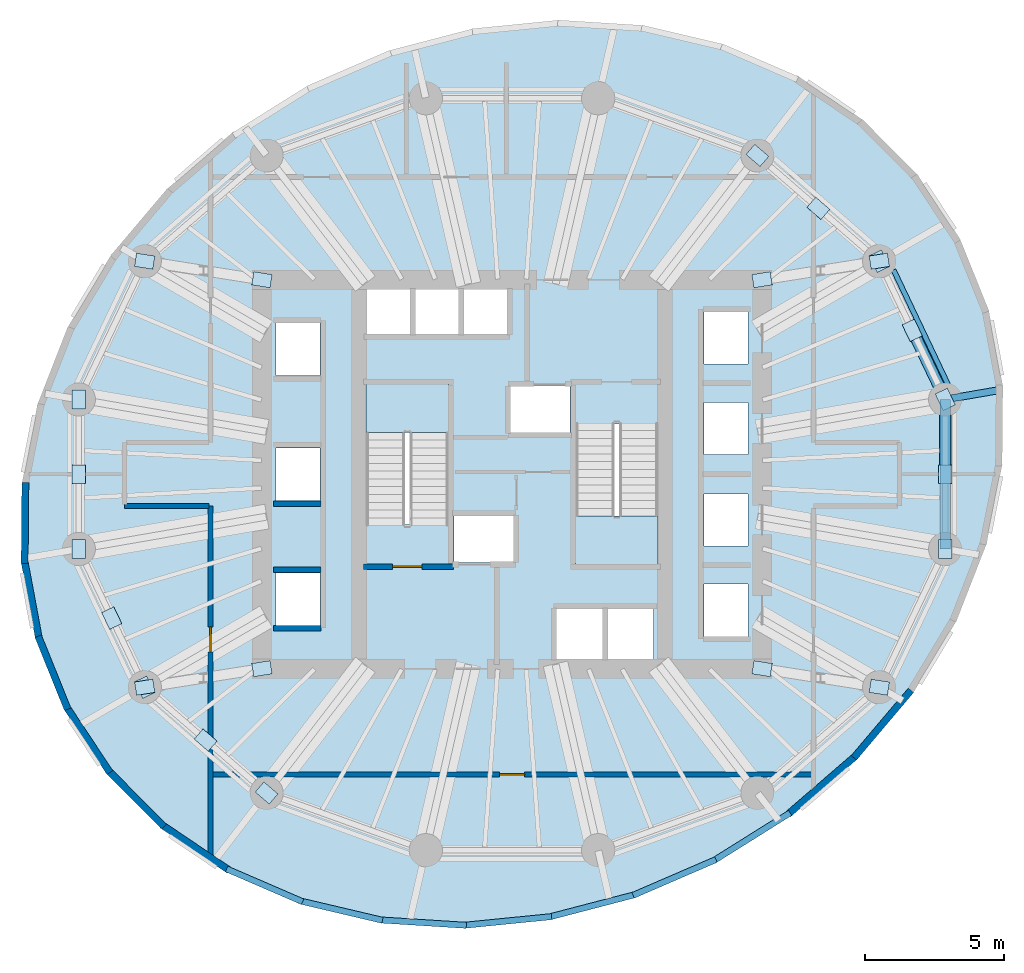
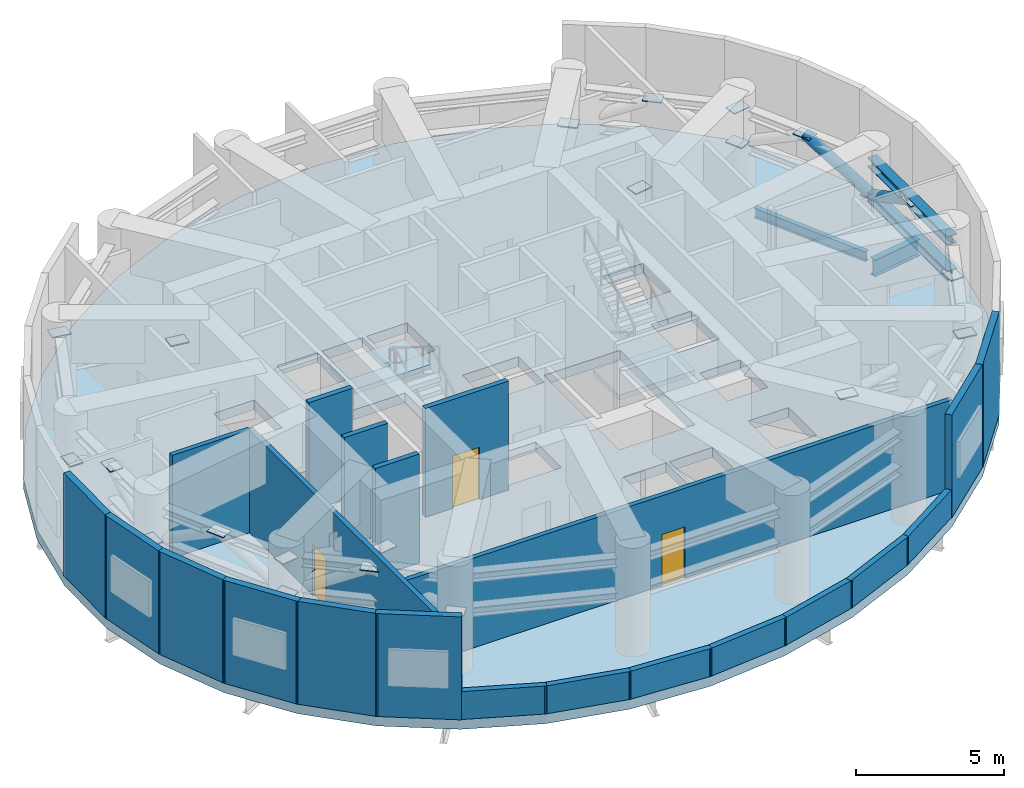
# One storey, part 4 of 9: 22 plates, 22 walls, 4 members, 3 doors, 3 slabs, 2 beams, 3 openings, 2 elements without a shape of their own.
"""IFC4 building model written with IfcOpenShell, lengths in metres."""

from ifc_helpers import new_model, si_unit, direction, frame, frame_2d, origin, origin_2d, place, context, subcontext, project, spatial, polyline, rectangle, hollow_circle, i_section, outline, extrude, material, layer, layer_set, material_profile, profile_set, type_object, element, fill, aggregate, save


model = new_model("IFC4")

# Units and contexts
model_context = context("Model", 3, precision=1e-05, world=origin(), true_north=direction((0.0, 1.0)))
body_context = subcontext(model_context, "Body", "Model", "MODEL_VIEW")
ifc_project = project(units=[si_unit("LENGTHUNIT", "METRE"), si_unit("AREAUNIT", "SQUARE_METRE"), si_unit("VOLUMEUNIT", "CUBIC_METRE"), si_unit("PLANEANGLEUNIT", "RADIAN"), si_unit("MASSUNIT", "GRAM", prefix="KILO")], contexts=[model_context])

# Site, building, storey
site_placement = place(None, origin())
site = spatial("IfcSite", under=ifc_project, at=site_placement, CompositionType="ELEMENT")
building_placement = place(site_placement, origin())
building = spatial("IfcBuilding", under=site, at=building_placement, Name="Veldorim Arch Residences", CompositionType="ELEMENT")
storey_placement = place(building_placement, frame((0.0, 0.0, 112.47998046875)))
storey = spatial("IfcBuildingStorey", under=building, at=storey_placement, Name="L33", CompositionType="ELEMENT", Elevation=112.47998046875)

# Members
ifc_material_1 = material(Name="Steel S460", Category="steel")
ifc_material_profile_1 = material_profile(ifc_material_1, hollow_circle(Radius=0.203125, WallThickness=0.02490234375, at=origin_2d()), Name="CHS406.4x25")
ifc_profile_set_1 = profile_set([ifc_material_profile_1], Name="Steel S460")
member_type_1 = type_object("IfcMemberType", Name="Crown Diagrid CHS406.4x25", PredefinedType="BRACE", material=ifc_profile_set_1)
member_1_placement = place(storey_placement, frame((47.594482421875, 26.692138671875, 2.239990234375), z_axis=(-0.382869964673, 0.80227873305, 0.457995005047), x_axis=(-0.902496689438, -0.430696790739, 0.0)))
element("IfcMember", 1, at=member_1_placement, inside=storey, type_object=member_type_1, Name="L33 belt truss chevron brace 01A", PredefinedType="BRACE", context=body_context, shape_type="SweptSolid", body=[
    extrude(hollow_circle(Radius=0.203125, WallThickness=0.02490234375, at=origin_2d()), origin(), (0.0, 0.0, 1.0), 3.100341796875),
])
member_2_placement = place(storey_placement, frame((47.594482421875, 26.692138671875, 2.239990234375), z_axis=(0.0, -0.884510728409, 0.46651985095), x_axis=(1.0, 0.0, 0.0)))
element("IfcMember", 2, at=member_2_placement, inside=storey, type_object=member_type_1, Name="L33 belt truss chevron brace 16B", PredefinedType="BRACE", context=body_context, shape_type="SweptSolid", body=[
    extrude(hollow_circle(Radius=0.203125, WallThickness=0.02490234375, at=origin_2d()), origin(), (0.0, 0.0, 1.0), 3.043701171875),
])

# Beams
ifc_material_2 = material(Name="Steel S355", Category="steel")
ifc_material_profile_2 = material_profile(ifc_material_2, i_section(OverallWidth=0.25439453125, OverallDepth=0.6875, WebThickness=0.01318359375, FlangeThickness=0.02099609375, at=origin_2d()), Name="UB686x254x152")
ifc_profile_set_2 = profile_set([ifc_material_profile_2], Name="Steel S355")
beam_type_1 = type_object("IfcBeamType", Name="Structural Steel GIRDER UB686x254x152", PredefinedType="USERDEFINED", material=ifc_profile_set_2)
beam_1_placement = place(storey_placement, frame((47.6142578125, 26.695556640625, -0.743896484375), z_axis=(0.985411374096, 0.170189376291, 0.0), x_axis=(-0.170189376291, 0.985411374096, 0.0)))
element("IfcBeam", 3, at=beam_1_placement, inside=storey, type_object=beam_type_1, Name="L33 radial edge cantilever girder 01", ObjectType="GIRDER", PredefinedType="USERDEFINED", context=body_context, shape_type="SweptSolid", body=[
    extrude(i_section(OverallWidth=0.25439453125, OverallDepth=0.6875, WebThickness=0.01318359375, FlangeThickness=0.02099609375, at=origin_2d()), origin(), (0.0, 0.0, 1.0), 1.96826171875),
])
ifc_material_3 = material(Name="Steel S355", Category="steel")
ifc_material_profile_3 = material_profile(ifc_material_3, i_section(OverallWidth=0.1787109375, OverallDepth=0.409423828125, WebThickness=0.0087890625, FlangeThickness=0.014404296875, at=origin_2d()), Name="UB406x178x67")
ifc_profile_set_3 = profile_set([ifc_material_profile_3], Name="Steel S355")
beam_type_2 = type_object("IfcBeamType", Name="Structural Steel Spandrel UB406x178x67", PredefinedType="SPANDREL", material=ifc_profile_set_3)
beam_2_placement = place(storey_placement, frame((47.693115234375, 27.225341796875, -0.624755859375), z_axis=(-0.428857472204, 0.903372165021, 0.0), x_axis=(-0.903372165021, -0.428857472204, 0.0)))
element("IfcBeam", 4, at=beam_2_placement, inside=storey, type_object=beam_type_2, Name="L33 perimeter chord spandrel beam 01", PredefinedType="SPANDREL", context=body_context, shape_type="SweptSolid", body=[
    extrude(i_section(OverallWidth=0.1787109375, OverallDepth=0.409423828125, WebThickness=0.0087890625, FlangeThickness=0.014404296875, at=origin_2d()), origin(), (0.0, 0.0, 1.0), 4.572021484375),
])

# Members
ifc_material_4 = material(Name="Steel S460", Category="steel")
ifc_material_profile_4 = material_profile(ifc_material_4, i_section(OverallWidth=0.374755859375, OverallDepth=0.37451171875, WebThickness=0.0166015625, FlangeThickness=0.027099609375, at=origin_2d()), Name="UC356x368x202")
ifc_profile_set_4 = profile_set([ifc_material_profile_4], Name="Steel S460")
member_type_2 = type_object("IfcMemberType", Name="Truss Chord UC356x368x202", PredefinedType="CHORD", material=ifc_profile_set_4)
for number, where, z_axis, x_axis, name in (
    (5, (47.594482421875, 21.307861328125, 2.239990234375), (0.0, 1.0, 0.0), (-1.0, 0.0, 0.0), "L33 belt truss bottom chord 16"),
    (6, (47.594482421875, 21.307861328125, 3.659912109375), (0.0, 1.0, 0.0), (-1.0, 0.0, 0.0), "L33 belt truss top chord 16"),
):
    element("IfcMember", number, at=place(storey_placement, frame(where, z_axis=z_axis, x_axis=x_axis)), inside=storey, type_object=member_type_2, Name=name, PredefinedType="CHORD", context=body_context, shape_type="SweptSolid", body=[
        extrude(i_section(OverallWidth=0.374755859375, OverallDepth=0.37451171875, WebThickness=0.0166015625, FlangeThickness=0.027099609375, at=origin_2d()), origin(), (0.0, 0.0, 1.0), 5.38427734375),
    ])

# Slab
ifc_material_5 = material(Name="Concrete C50/60", Category="concrete")
ifc_layer_1 = layer(ifc_material_5, 0.39990234375, Name="Refuge & Outrigger Diaphragm Slab 400")
ifc_layer_set_1 = layer_set([ifc_layer_1], Name="Concrete C50/60")
slab_type_1 = type_object("IfcSlabType", Name="Refuge & Outrigger Diaphragm Slab 400", PredefinedType="FLOOR", material=ifc_layer_set_1)
slab_1_placement = place(storey_placement, frame((0.0, 0.0, -0.39990234375)))
element("IfcSlab", 7, at=slab_1_placement, inside=storey, type_object=slab_type_1, Name="L33 tower structural floor slab", PredefinedType="FLOOR", context=body_context, shape_type="SweptSolid", body=[
    extrude(outline(polyline([(48.111083984375, 32.4658203125), (46.590087890625, 34.765869140625), (44.6259765625, 36.739013671875), (42.278076171875, 38.324951171875), (39.617919921875, 39.4755859375), (36.72607421875, 40.156005859375), (33.69091796875, 40.345703125), (30.604248046875, 40.03857421875), (27.559814453125, 39.244140625), (24.650634765625, 37.98681640625), (21.964599609375, 36.30419921875), (19.58349609375, 34.247802734375), (17.57958984375, 31.8798828125), (16.013916015625, 29.272705078125), (14.93408203125, 26.50537109375), (14.37255859375, 23.661865234375), (14.3466796875, 20.82861328125), (14.857421875, 18.091552734375), (15.888916015625, 15.5341796875), (17.409912109375, 13.234130859375), (19.3740234375, 11.260986328125), (21.721923828125, 9.675048828125), (24.382080078125, 8.5244140625), (27.27392578125, 7.843994140625), (30.30908203125, 7.654296875), (33.395751953125, 7.96142578125), (36.440185546875, 8.755859375), (39.349365234375, 10.01318359375), (42.035400390625, 11.69580078125), (44.41650390625, 13.752197265625), (46.42041015625, 16.1201171875), (47.986083984375, 18.727294921875), (49.06591796875, 21.49462890625), (49.62744140625, 24.338134765625), (49.6533203125, 27.17138671875), (49.142578125, 29.908447265625), (48.111083984375, 32.4658203125)]), holes=[polyline([(23.510009765625, 20.43994140625), (25.090087890625, 20.43994140625), (25.090087890625, 18.56005859375), (23.510009765625, 18.56005859375), (23.510009765625, 20.43994140625)]), polyline([(29.909912109375, 22.544921875), (32.090087890625, 22.544921875), (32.090087890625, 20.81494140625), (29.909912109375, 20.81494140625), (29.909912109375, 22.544921875)]), polyline([(23.510009765625, 24.93994140625), (25.090087890625, 24.93994140625), (25.090087890625, 23.06005859375), (23.510009765625, 23.06005859375), (23.510009765625, 24.93994140625)]), polyline([(26.75, 27.25), (29.7099609375, 27.25), (29.7099609375, 22.195068359375), (26.75, 22.195068359375), (26.75, 27.25)]), polyline([(23.510009765625, 29.43994140625), (25.090087890625, 29.43994140625), (25.090087890625, 27.56005859375), (23.510009765625, 27.56005859375), (23.510009765625, 29.43994140625)]), polyline([(26.760009765625, 30.7900390625), (28.340087890625, 30.7900390625), (28.340087890625, 28.909912109375), (26.760009765625, 28.909912109375), (26.760009765625, 30.7900390625)]), polyline([(28.510009765625, 30.7900390625), (30.090087890625, 30.7900390625), (30.090087890625, 28.909912109375), (28.510009765625, 28.909912109375), (28.510009765625, 30.7900390625)]), polyline([(30.260009765625, 30.7900390625), (31.840087890625, 30.7900390625), (31.840087890625, 28.909912109375), (30.260009765625, 28.909912109375), (30.260009765625, 30.7900390625)]), polyline([(33.610107421875, 19.2900390625), (35.2900390625, 19.2900390625), (35.2900390625, 17.2099609375), (33.610107421875, 17.2099609375), (33.610107421875, 19.2900390625)]), polyline([(35.409912109375, 19.2900390625), (37.090087890625, 19.2900390625), (37.090087890625, 17.2099609375), (35.409912109375, 17.2099609375), (35.409912109375, 19.2900390625)]), polyline([(38.909912109375, 20.0400390625), (40.489990234375, 20.0400390625), (40.489990234375, 18.159912109375), (38.909912109375, 18.159912109375), (38.909912109375, 20.0400390625)]), polyline([(38.909912109375, 23.2900390625), (40.489990234375, 23.2900390625), (40.489990234375, 21.409912109375), (38.909912109375, 21.409912109375), (38.909912109375, 23.2900390625)]), polyline([(34.2900390625, 25.804931640625), (37.25, 25.804931640625), (37.25, 20.75), (34.2900390625, 20.75), (34.2900390625, 25.804931640625)]), polyline([(38.909912109375, 26.590087890625), (40.489990234375, 26.590087890625), (40.489990234375, 24.7099609375), (38.909912109375, 24.7099609375), (38.909912109375, 26.590087890625)]), polyline([(31.909912109375, 27.18505859375), (34.090087890625, 27.18505859375), (34.090087890625, 25.455078125), (31.909912109375, 25.455078125), (31.909912109375, 27.18505859375)]), polyline([(38.909912109375, 29.840087890625), (40.489990234375, 29.840087890625), (40.489990234375, 27.9599609375), (38.909912109375, 27.9599609375), (38.909912109375, 29.840087890625)])]), origin(), (0.0, 0.0, 1.0), 0.39990234375),
])

# Stair, slab
ifc_material_6 = material(Name="Concrete C40/50", Category="concrete")
stair_type = type_object("IfcStairType", Name="Reinforced Concrete Dogleg Exit Staircase", PredefinedType="HALF_TURN_STAIR", material=ifc_material_6)
stair_1_placement = place(storey_placement, origin())
stair_1 = element("IfcStair", 8, at=stair_1_placement, inside=storey, type_object=stair_type, Name="L33 Exit Staircase ST-1", PredefinedType="HALF_TURN_STAIR")
ifc_material_7 = material(Name="Concrete C40/50", Category="concrete")
ifc_layer_2 = layer(ifc_material_7, 0.199951171875, Name="Reinforced Concrete Stair Landing 200")
ifc_layer_set_2 = layer_set([ifc_layer_2], Name="Concrete C40/50")
slab_type_2 = type_object("IfcSlabType", Name="Reinforced Concrete Stair Landing 200", PredefinedType="LANDING", material=ifc_layer_set_2)
slab_2_placement = place(storey_placement, frame((0.0, 0.0, 2.0400390625)))
slab_2 = element("IfcSlab", 9, at=slab_2_placement, type_object=slab_type_2, Name="ST-1 landing 1", PredefinedType="LANDING", context=body_context, shape_type="SweptSolid", body=[
    extrude(outline(polyline([(29.7099609375, 25.510009765625), (29.7099609375, 27.25), (26.75, 27.25), (26.75, 25.510009765625), (29.7099609375, 25.510009765625)])), origin(), (0.0, 0.0, 1.0), 0.199951171875),
])
aggregate(stair_1, [slab_2])

stair_2_placement = place(storey_placement, origin())
stair_2 = element("IfcStair", 10, at=stair_2_placement, inside=storey, type_object=stair_type, Name="L33 Exit Staircase ST-2", PredefinedType="HALF_TURN_STAIR")
slab_3_placement = place(storey_placement, frame((0.0, 0.0, 2.0400390625)))
slab_3 = element("IfcSlab", 11, at=slab_3_placement, type_object=slab_type_2, Name="ST-2 landing 1", PredefinedType="LANDING", context=body_context, shape_type="SweptSolid", body=[
    extrude(outline(polyline([(34.2900390625, 22.489990234375), (34.2900390625, 20.75), (37.25, 20.75), (37.25, 22.489990234375), (34.2900390625, 22.489990234375)])), origin(), (0.0, 0.0, 1.0), 0.199951171875),
])
aggregate(stair_2, [slab_3])

# Plates
ifc_material_8 = material(Name="Steel S355", Category="steel")
ifc_layer_3 = layer(ifc_material_8, 0.035888671875, Name="Welded Hollow-Section End-Cap & Gusset Plate 36")
ifc_layer_set_3 = layer_set([ifc_layer_3], Name="Steel S355")
plate_type = type_object("IfcPlateType", Name="Welded Hollow-Section End-Cap & Gusset Plate 36", PredefinedType="USERDEFINED", material=ifc_layer_set_3)
for number, where, z_axis, x_axis, name in (
    (12, (47.594482421875, 26.692138671875, 2.22216796875), (0.0, 0.0, 1.0), (-0.43071587583, 0.902487581249, 0.0), "L33 belt truss chevron brace 01A welded joint gusset plate 1"),
    (13, (46.407470703125, 29.179443359375, 3.64208984375), (0.0, 0.0, 1.0), (-0.43071587583, 0.902487581249, 0.0), "L33 belt truss chevron brace 01A welded joint gusset plate 2"),
    (14, (45.220458984375, 31.6669921875, 2.22216796875), (0.0, 0.0, 1.0), (0.430684372808, -0.902502615519, 0.0), "L33 belt truss chevron brace 01B welded joint gusset plate 1"),
    (15, (43.027099609375, 33.570556640625, 3.64208984375), (0.0, 0.0, 1.0), (-0.755224614955, 0.655466079188, 0.0), "L33 belt truss chevron brace 02A welded joint gusset plate 2"),
    (16, (40.83349609375, 35.474365234375, 2.22216796875), (0.0, 0.0, 1.0), (0.755224614955, -0.655466079188, 0.0), "L33 belt truss chevron brace 02B welded joint gusset plate 1"),
    (17, (16.405517578125, 26.692138671875, 2.22216796875), (0.0, 0.0, 1.0), (0.0, -1.0, 0.0), "L33 belt truss chevron brace 08A welded joint gusset plate 1"),
    (18, (16.405517578125, 24.0, 3.64208984375), (0.0, 0.0, 1.0), (0.0, -1.0, 0.0), "L33 belt truss chevron brace 08A welded joint gusset plate 2"),
    (19, (16.405517578125, 21.307861328125, 2.22216796875), (0.0, 0.0, 1.0), (0.0, 1.0, 0.0), "L33 belt truss chevron brace 08B welded joint gusset plate 1"),
    (20, (17.592529296875, 18.820556640625, 3.64208984375), (0.0, 0.0, 1.0), (0.430700124385, -0.902495098521, 0.0), "L33 belt truss chevron brace 09A welded joint gusset plate 2"),
    (21, (18.779541015625, 16.3330078125, 2.22216796875), (0.0, 0.0, 1.0), (-0.43071587583, 0.902487581249, 0.0), "L33 belt truss chevron brace 09B welded joint gusset plate 1"),
    (22, (20.972900390625, 14.429443359375, 3.64208984375), (0.0, 0.0, 1.0), (0.755224614955, -0.655466079188, 0.0), "L33 belt truss chevron brace 10A welded joint gusset plate 2"),
    (23, (23.16650390625, 12.525634765625, 2.22216796875), (0.0, 0.0, 1.0), (-0.755224614955, 0.655466079188, 0.0), "L33 belt truss chevron brace 10B welded joint gusset plate 1"),
    (24, (47.594482421875, 21.307861328125, 2.22216796875), (0.0, 0.0, 1.0), (0.0, 1.0, 0.0), "L33 belt truss chevron brace 16A welded joint gusset plate 1"),
    (25, (47.594482421875, 24.0, 3.64208984375), (0.0, 0.0, 1.0), (0.0, 1.0, 0.0), "L33 belt truss chevron brace 16A welded joint gusset plate 2"),
    (26, (41.0, 17.0, 2.22216796875), (0.0, 0.0, 1.0), (0.98774288635, -0.156089687246, 0.0), "L33 outrigger truss diagonal 01 welded joint gusset plate 1"),
    (27, (45.220458984375, 16.3330078125, 3.64208984375), (0.0, 0.0, 1.0), (0.98774288635, -0.156089687246, 0.0), "L33 outrigger truss diagonal 01 welded joint gusset plate 2"),
    (28, (41.0, 31.0, 2.22216796875), (0.0, 0.0, 1.0), (0.98774288635, 0.156089687246, 0.0), "L33 outrigger truss diagonal 02 welded joint gusset plate 1"),
    (29, (45.220458984375, 31.6669921875, 3.64208984375), (0.0, 0.0, 1.0), (0.98774288635, 0.156089687246, 0.0), "L33 outrigger truss diagonal 02 welded joint gusset plate 2"),
    (30, (23.0, 31.0, 2.22216796875), (0.0, 0.0, 1.0), (-0.98774288635, 0.156089687246, 0.0), "L33 outrigger truss diagonal 03 welded joint gusset plate 1"),
    (31, (18.779541015625, 31.6669921875, 3.64208984375), (0.0, 0.0, 1.0), (-0.98774288635, 0.156089687246, 0.0), "L33 outrigger truss diagonal 03 welded joint gusset plate 2"),
    (32, (23.0, 17.0, 2.22216796875), (0.0, 0.0, 1.0), (-0.98774288635, -0.156089687246, 0.0), "L33 outrigger truss diagonal 04 welded joint gusset plate 1"),
    (33, (18.779541015625, 16.3330078125, 3.64208984375), (0.0, 0.0, 1.0), (-0.98774288635, -0.156089687246, 0.0), "L33 outrigger truss diagonal 04 welded joint gusset plate 2"),
):
    element("IfcPlate", number, at=place(storey_placement, frame(where, z_axis=z_axis, x_axis=x_axis)), inside=storey, type_object=plate_type, Name=name, ObjectType="GUSSET PLATE", PredefinedType="USERDEFINED", context=body_context, shape_type="SweptSolid", body=[
        extrude(rectangle(XDim=0.6708984375, YDim=0.486083984375, at=origin_2d()), origin(), (0.0, 0.0, 1.0), 0.035888671875),
    ])

# Wall, opening, door
ifc_material_9 = material(Name="Lightweight Masonry Block & Gypsum", Category="masonry")
ifc_layer_4 = layer(ifc_material_9, 0.179931640625, Name="Compartment & Corridor Fire-Rated Party Wall 180")
ifc_layer_set_4 = layer_set([ifc_layer_4], Name="Lightweight Masonry Block & Gypsum")
wall_type_1 = type_object("IfcWallType", Name="Compartment & Corridor Fire-Rated Party Wall 180", PredefinedType="PARTITIONING", material=ifc_layer_set_4)
wall_1_placement = place(storey_placement, frame((42.85009765625, 13.199951171875, 0.0), z_axis=(0.0, 0.0, 1.0), x_axis=(-1.0, 0.0, 0.0)))
wall_1 = element("IfcWall", 34, at=wall_1_placement, inside=storey, type_object=wall_type_1, Name="L33 interior wall WL-PLT-L33-001", PredefinedType="PARTITIONING", context=body_context, shape_type="SweptSolid", body=[
    extrude(rectangle(XDim=21.7001953125, YDim=0.179931640625, at=frame_2d((10.85009765625, 0.0))), origin(), (0.0, 0.0, 1.0), 3.69140625),
])
opening_1_placement = place(wall_1_placement, frame((10.39990234375, 0.0, 0.0)))
opening_1 = element("IfcOpeningElement", 35, at=opening_1_placement, cuts=wall_1, Name="Opening DR-INT", PredefinedType="OPENING", context=body_context, shape_type="SweptSolid", body=[
    extrude(rectangle(XDim=0.89990234375, YDim=2.10009765625, at=frame_2d((0.449951171875, 1.050048828125))), frame((0.0, 0.099853515625, 0.0), z_axis=(0.0, -1.0, 0.0), x_axis=(1.0, 0.0, 0.0)), (0.0, 0.0, 1.0), 0.199951171875),
])
ifc_material_10 = material(Name="Engineered Timber", Category="wood")
door_type_1 = type_object("IfcDoorType", Name="Apartment Internal Room Timber Door 900x2100", OperationType="SINGLE_SWING_LEFT", PredefinedType="DOOR", material=ifc_material_10)
door_1_placement = place(opening_1_placement, origin())
door_1 = element("IfcDoor", 36, at=door_1_placement, inside=storey, type_object=door_type_1, Name="L33 interior door DR-PLT-L33-001", OperationType="SINGLE_SWING_LEFT", OverallHeight=2.10009765625, OverallWidth=0.89990234375, PredefinedType="DOOR", context=body_context, shape_type="SweptSolid", body=[
    extrude(rectangle(XDim=0.89990234375, YDim=2.10009765625, at=frame_2d((0.449951171875, 1.050048828125))), frame((0.0, 0.02490234375, 0.0), z_axis=(0.0, -1.0, 0.0), x_axis=(1.0, 0.0, 0.0)), (0.0, 0.0, 1.0), 0.050048828125),
])
fill(opening_1, door_1)

wall_2_placement = place(storey_placement, frame((21.14990234375, 10.27880859375, 0.0), z_axis=(0.0, 0.0, 1.0), x_axis=(0.0, 1.0, 0.0)))
wall_2 = element("IfcWall", 37, at=wall_2_placement, inside=storey, type_object=wall_type_1, Name="L33 interior wall WL-PLT-L33-003", PredefinedType="PARTITIONING", context=body_context, shape_type="SweptSolid", body=[
    extrude(rectangle(XDim=12.5712890625, YDim=0.179931640625, at=frame_2d((6.28564453125, 0.0))), origin(), (0.0, 0.0, 1.0), 4.235107421875),
])
opening_2_placement = place(wall_2_placement, frame((7.326416015625, 0.0, 0.0)))
opening_2 = element("IfcOpeningElement", 38, at=opening_2_placement, cuts=wall_2, Name="Opening DR-SVC", PredefinedType="OPENING", context=body_context, shape_type="SweptSolid", body=[
    extrude(rectangle(XDim=0.89990234375, YDim=2.10009765625, at=frame_2d((0.449951171875, 1.050048828125))), frame((0.0, 0.099853515625, 0.0), z_axis=(0.0, -1.0, 0.0), x_axis=(1.0, 0.0, 0.0)), (0.0, 0.0, 1.0), 0.199951171875),
])
ifc_material_11 = material(Name="Fire-Rated Steel", Category="steel")
door_type_2 = type_object("IfcDoorType", Name="Riser, Shelter & Plant Room Rated Steel Door 900x2100", OperationType="SINGLE_SWING_LEFT", PredefinedType="DOOR", material=ifc_material_11)
door_2_placement = place(opening_2_placement, origin())
door_2 = element("IfcDoor", 39, at=door_2_placement, inside=storey, type_object=door_type_2, Name="L33 interior door DR-PLT-L33-005", OperationType="SINGLE_SWING_LEFT", OverallHeight=2.10009765625, OverallWidth=0.89990234375, PredefinedType="DOOR", context=body_context, shape_type="SweptSolid", body=[
    extrude(rectangle(XDim=0.89990234375, YDim=2.10009765625, at=frame_2d((0.449951171875, 1.050048828125))), frame((0.0, 0.02490234375, 0.0), z_axis=(0.0, -1.0, 0.0), x_axis=(1.0, 0.0, 0.0)), (0.0, 0.0, 1.0), 0.050048828125),
])
fill(opening_2, door_2)

# Wall
wall_3_placement = place(storey_placement, frame((21.090087890625, 22.85009765625, 0.0), z_axis=(0.0, 0.0, 1.0), x_axis=(-1.0, 0.0, 0.0)))
element("IfcWall", 40, at=wall_3_placement, inside=storey, type_object=wall_type_1, Name="L33 interior wall WL-PLT-L33-004", PredefinedType="PARTITIONING", context=body_context, shape_type="SweptSolid", body=[
    extrude(rectangle(XDim=3.0400390625, YDim=0.179931640625, at=frame_2d((1.52001953125, 0.0))), origin(), (0.0, 0.0, 1.0), 4.235107421875),
])

# Wall, opening, door
ifc_material_12 = material(Name="Concrete C50/60", Category="concrete")
ifc_layer_5 = layer(ifc_material_12, 0.199951171875, Name="Core Stair & Lift Shaft Enclosure Wall 200")
ifc_layer_set_5 = layer_set([ifc_layer_5], Name="Concrete C50/60")
wall_type_2 = type_object("IfcWallType", Name="Core Stair & Lift Shaft Enclosure Wall 200", PredefinedType="SHEAR", material=ifc_layer_set_5)
wall_4_placement = place(storey_placement, frame((26.64990234375, 20.669921875, 0.0), z_axis=(0.0, 0.0, 1.0), x_axis=(1.0, 0.0, 0.0)))
wall_4 = element("IfcWall", 41, at=wall_4_placement, inside=storey, type_object=wall_type_2, Name="L33 shaft wall WL-SHF-L33-ST1-S", PredefinedType="SHEAR", context=body_context, shape_type="SweptSolid", body=[
    extrude(rectangle(XDim=3.239990234375, YDim=0.199951171875, at=frame_2d((1.6201171875, 0.0))), origin(), (0.0, 0.0, 1.0), 4.47998046875),
])
opening_3_placement = place(wall_4_placement, frame((1.054931640625, 0.0, 0.0)))
opening_3 = element("IfcOpeningElement", 42, at=opening_3_placement, cuts=wall_4, Name="Opening DR-ST", PredefinedType="OPENING", context=body_context, shape_type="SweptSolid", body=[
    extrude(rectangle(XDim=1.050048828125, YDim=2.14990234375, at=frame_2d((0.52490234375, 1.074951171875))), frame((0.0, 0.10986328125, 0.0), z_axis=(0.0, -1.0, 0.0), x_axis=(1.0, 0.0, 0.0)), (0.0, 0.0, 1.0), 0.219970703125),
])
ifc_material_13 = material(Name="Fire-Rated Steel", Category="steel")
door_type_3 = type_object("IfcDoorType", Name="Exit Staircase Self-Closing Fire Door 1050x2150", OperationType="SINGLE_SWING_LEFT", PredefinedType="DOOR", material=ifc_material_13)
door_3_placement = place(opening_3_placement, origin())
door_3 = element("IfcDoor", 43, at=door_3_placement, inside=storey, type_object=door_type_3, Name="L33 interior door DR-L33-ST1", OperationType="SINGLE_SWING_LEFT", OverallHeight=2.14990234375, OverallWidth=1.050048828125, PredefinedType="DOOR", context=body_context, shape_type="SweptSolid", body=[
    extrude(rectangle(XDim=1.050048828125, YDim=2.14990234375, at=frame_2d((0.52490234375, 1.074951171875))), frame((0.0, 0.02490234375, 0.0), z_axis=(0.0, -1.0, 0.0), x_axis=(1.0, 0.0, 0.0)), (0.0, 0.0, 1.0), 0.050048828125),
])
fill(opening_3, door_3)

# Walls
for number, where, z_axis, x_axis, name in (
    (44, (23.419921875, 18.4599609375, 0.0), (0.0, 0.0, 1.0), (1.0, 0.0, 0.0), "L33 shaft wall WL-B2-L33-S"),
    (45, (23.419921875, 20.56005859375, 0.0), (0.0, 0.0, 1.0), (1.0, 0.0, 0.0), "L33 shaft wall WL-B2-L33-D1A"),
    (46, (23.419921875, 22.93994140625, 0.0), (0.0, 0.0, 1.0), (1.0, 0.0, 0.0), "L33 shaft wall WL-B2-L33-D1B"),
):
    element("IfcWall", number, at=place(storey_placement, frame(where, z_axis=z_axis, x_axis=x_axis)), inside=storey, type_object=wall_type_2, Name=name, PredefinedType="SHEAR", context=body_context, shape_type="SweptSolid", body=[
        extrude(rectangle(XDim=1.7099609375, YDim=0.199951171875, at=frame_2d((0.85498046875, 0.0))), origin(), (0.0, 0.0, 1.0), 4.47998046875),
    ])
ifc_material_14 = material(Name="Precast concrete C40/50", Category="concrete")
ifc_layer_6 = layer(ifc_material_14, 0.219970703125, Name="Terrace & Refuge Perimeter Parapet Wall 220")
ifc_layer_set_6 = layer_set([ifc_layer_6], Name="Precast concrete C40/50")
wall_type_3 = type_object("IfcWallType", Name="Terrace & Refuge Perimeter Parapet Wall 220", PredefinedType="PARAPET", material=ifc_layer_set_6)
wall_5_placement = place(storey_placement, frame((24.462646484375, 8.609619140625, 0.0), z_axis=(0.0, 0.0, 1.0), x_axis=(-0.917825556338, 0.396983939389, 0.0)))
element("IfcWall", 47, at=wall_5_placement, inside=storey, type_object=wall_type_3, Name="L33 fire refuge safety parapet 21", PredefinedType="PARAPET", context=body_context, shape_type="SweptSolid", body=[
    extrude(rectangle(XDim=2.978271484375, YDim=0.219970703125, at=frame_2d((1.4892578125, 0.0))), origin(), (0.0, 0.0, 1.0), 1.14990234375),
])
wall_6_placement = place(storey_placement, frame((27.337890625, 7.94189453125, 0.0), z_axis=(0.0, 0.0, 1.0), x_axis=(-0.973415069123, 0.229048255186, 0.0)))
element("IfcWall", 48, at=wall_6_placement, inside=storey, type_object=wall_type_3, Name="L33 fire refuge safety parapet 22", PredefinedType="PARAPET", context=body_context, shape_type="SweptSolid", body=[
    extrude(rectangle(XDim=3.050537109375, YDim=0.219970703125, at=frame_2d((1.525390625, 0.0))), origin(), (0.0, 0.0, 1.0), 1.14990234375),
])
wall_7_placement = place(storey_placement, frame((30.35595703125, 7.76171875, 0.0), z_axis=(0.0, 0.0, 1.0), x_axis=(-0.998055012508, 0.062339329543, 0.0)))
element("IfcWall", 49, at=wall_7_placement, inside=storey, type_object=wall_type_3, Name="L33 fire refuge safety parapet 23", PredefinedType="PARAPET", context=body_context, shape_type="SweptSolid", body=[
    extrude(rectangle(XDim=3.121337890625, YDim=0.219970703125, at=frame_2d((1.560546875, 0.0))), origin(), (0.0, 0.0, 1.0), 1.14990234375),
])
wall_8_placement = place(storey_placement, frame((33.4248046875, 8.07470703125, 0.0), z_axis=(0.0, 0.0, 1.0), x_axis=(-0.995089470492, -0.098979521701, 0.0)))
element("IfcWall", 50, at=wall_8_placement, inside=storey, type_object=wall_type_3, Name="L33 fire refuge safety parapet 24", PredefinedType="PARAPET", context=body_context, shape_type="SweptSolid", body=[
    extrude(rectangle(XDim=3.181884765625, YDim=0.219970703125, at=frame_2d((1.5908203125, 0.0))), origin(), (0.0, 0.0, 1.0), 1.14990234375),
])
wall_9_placement = place(storey_placement, frame((36.450927734375, 8.872314453125, 0.0), z_axis=(0.0, 0.0, 1.0), x_axis=(-0.967589139149, -0.25252971667, 0.0)))
element("IfcWall", 51, at=wall_9_placement, inside=storey, type_object=wall_type_3, Name="L33 fire refuge safety parapet 25", PredefinedType="PARAPET", context=body_context, shape_type="SweptSolid", body=[
    extrude(rectangle(XDim=3.22607421875, YDim=0.219970703125, at=frame_2d((1.613037109375, 0.0))), origin(), (0.0, 0.0, 1.0), 1.14990234375),
])
for number, where, z_axis, x_axis, name in (
    (52, (39.342529296875, 10.130126953125, 0.0), (0.0, 0.0, 1.0), (-0.917924338213, -0.396755477992, 0.0), "L33 fire refuge safety parapet 26"),
    (53, (42.010986328125, 11.810302734375, 0.0), (0.0, 0.0, 1.0), (-0.847457608368, -0.530863072759, 0.0), "L33 fire refuge safety parapet 27"),
):
    element("IfcWall", number, at=place(storey_placement, frame(where, z_axis=z_axis, x_axis=x_axis)), inside=storey, type_object=wall_type_3, Name=name, PredefinedType="PARAPET", context=body_context, shape_type="SweptSolid", body=[
        extrude(rectangle(XDim=3.24951171875, YDim=0.219970703125, at=frame_2d((1.624755859375, 0.0))), origin(), (0.0, 0.0, 1.0), 1.14990234375),
    ])
ifc_material_15 = material(Name="Precast concrete C40/50", Category="concrete")
ifc_layer_7 = layer(ifc_material_15, 0.25, Name="Tower Terracotta Spandrel & Pier Wall 250")
ifc_layer_set_7 = layer_set([ifc_layer_7], Name="Precast concrete C40/50")
wall_type_4 = type_object("IfcWallType", Name="Tower Terracotta Spandrel & Pier Wall 250", PredefinedType="SOLIDWALL", material=ifc_layer_set_7)
wall_10_placement = place(storey_placement, frame((14.456298828125, 20.78759765625, 0.0), z_axis=(0.0, 0.0, 1.0), x_axis=(0.009134717755, 0.999958277595, 0.0)))
element("IfcWall", 54, at=wall_10_placement, inside=storey, type_object=wall_type_4, Name="L33 outrigger plant enclosure wall 15", PredefinedType="SOLIDWALL", context=body_context, shape_type="SweptSolid", body=[
    extrude(rectangle(XDim=2.9130859375, YDim=0.25, at=frame_2d((1.45654296875, 0.0))), origin(), (0.0, 0.0, 1.0), 4.239990234375),
])
wall_11_placement = place(storey_placement, frame((14.972900390625, 18.072509765625, 0.0), z_axis=(0.0, 0.0, 1.0), x_axis=(-0.183444393849, 0.98303008823, 0.0)))
element("IfcWall", 55, at=wall_11_placement, inside=storey, type_object=wall_type_4, Name="L33 outrigger plant enclosure wall 16", PredefinedType="SOLIDWALL", context=body_context, shape_type="SweptSolid", body=[
    extrude(rectangle(XDim=2.864013671875, YDim=0.25, at=frame_2d((1.43212890625, 0.0))), origin(), (0.0, 0.0, 1.0), 4.239990234375),
])
for number, where, z_axis, x_axis, name in (
    (56, (16.005859375, 15.538330078125, 0.0), (0.0, 0.0, 1.0), (-0.374088888102, 0.927392853002, 0.0), "L33 outrigger plant enclosure wall 17"),
    (57, (17.523681640625, 13.261474609375, 0.0), (0.0, 0.0, 1.0), (-0.551579139827, 0.83412256444, 0.0), "L33 outrigger plant enclosure wall 18"),
):
    element("IfcWall", number, at=place(storey_placement, frame(where, z_axis=z_axis, x_axis=x_axis)), inside=storey, type_object=wall_type_4, Name=name, PredefinedType="SOLIDWALL", context=body_context, shape_type="SweptSolid", body=[
        extrude(rectangle(XDim=2.837646484375, YDim=0.25, at=frame_2d((1.4189453125, 0.0))), origin(), (0.0, 0.0, 1.0), 4.239990234375),
    ])
wall_12_placement = place(storey_placement, frame((19.480224609375, 11.310302734375, 0.0), z_axis=(0.0, 0.0, 1.0), x_axis=(-0.705528090387, 0.708681955235, 0.0)))
element("IfcWall", 58, at=wall_12_placement, inside=storey, type_object=wall_type_4, Name="L33 outrigger plant enclosure wall 19", PredefinedType="SOLIDWALL", context=body_context, shape_type="SweptSolid", body=[
    extrude(rectangle(XDim=2.8642578125, YDim=0.25, at=frame_2d((1.43212890625, 0.0))), origin(), (0.0, 0.0, 1.0), 4.239990234375),
])
wall_13_placement = place(storey_placement, frame((21.816650390625, 9.743896484375, 0.0), z_axis=(0.0, 0.0, 1.0), x_axis=(-0.828669865655, 0.559737665121, 0.0)))
element("IfcWall", 59, at=wall_13_placement, inside=storey, type_object=wall_type_4, Name="L33 outrigger plant enclosure wall 20", PredefinedType="SOLIDWALL", context=body_context, shape_type="SweptSolid", body=[
    extrude(rectangle(XDim=2.9130859375, YDim=0.25, at=frame_2d((1.45654296875, 0.0))), origin(), (0.0, 0.0, 1.0), 4.239990234375),
])
wall_14_placement = place(storey_placement, frame((44.375, 13.86181640625, 0.0), z_axis=(0.0, 0.0, 1.0), x_axis=(-0.756826410558, -0.653615930254, 0.0)))
element("IfcWall", 60, at=wall_14_placement, inside=storey, type_object=wall_type_4, Name="L33 outrigger plant enclosure wall 28", PredefinedType="SOLIDWALL", context=body_context, shape_type="SweptSolid", body=[
    extrude(rectangle(XDim=3.2265625, YDim=0.25, at=frame_2d((1.61328125, 0.0))), origin(), (0.0, 0.0, 1.0), 4.239990234375),
])
wall_15_placement = place(storey_placement, frame((46.3623046875, 16.2216796875, 0.0), z_axis=(0.0, 0.0, 1.0), x_axis=(-0.646014464781, -0.763325167471, 0.0)))
element("IfcWall", 61, at=wall_15_placement, inside=storey, type_object=wall_type_4, Name="L33 outrigger plant enclosure wall 29", PredefinedType="SOLIDWALL", context=body_context, shape_type="SweptSolid", body=[
    extrude(rectangle(XDim=3.18212890625, YDim=0.25, at=frame_2d((1.591064453125, 0.0))), origin(), (0.0, 0.0, 1.0), 4.239990234375),
])

save(model, "model.ifc")
